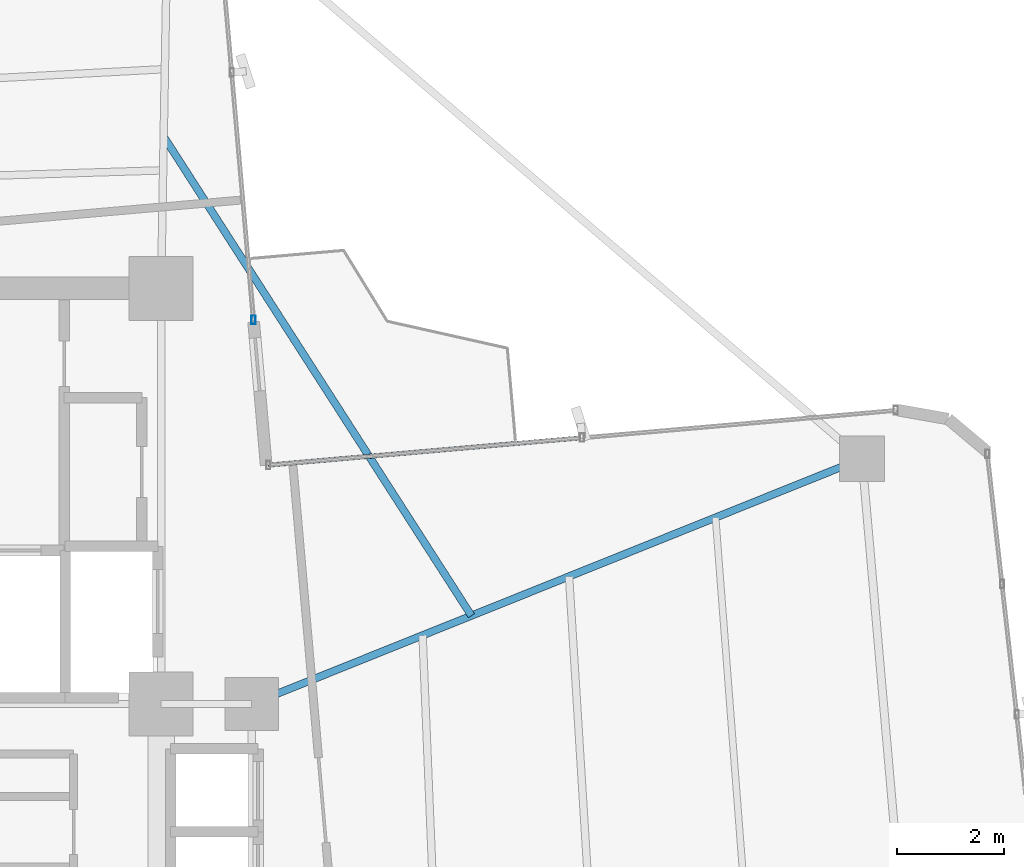
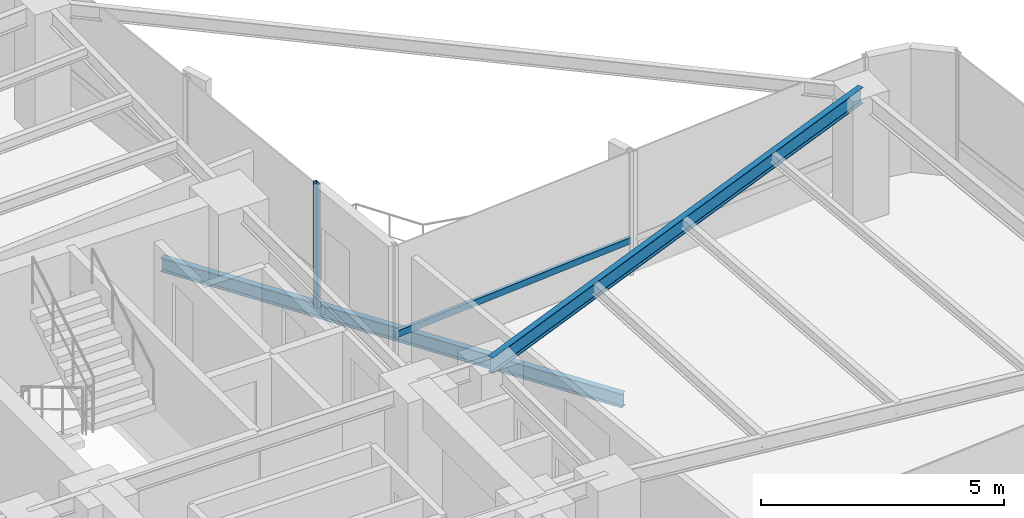
# One storey, part 12 of 24: 2 beams, 2 members, 2 elements without a shape of their own.
"""IFC4 building model written with IfcOpenShell, lengths in metres."""

from ifc_helpers import new_model, si_unit, direction, frame, origin, origin_2d, place, context, subcontext, project, spatial, hollow_rectangle, i_section, extrude, source, transform, mapped, material, material_profile, profile_set, type_object, element, aggregate, save


model = new_model("IFC4")

# Units and contexts
model_context = context("Model", 3, precision=1e-05, world=origin(), true_north=direction((0.0, 1.0)))
body_context = subcontext(model_context, "Body", "Model", "MODEL_VIEW")
ifc_project = project(units=[si_unit("LENGTHUNIT", "METRE"), si_unit("AREAUNIT", "SQUARE_METRE"), si_unit("VOLUMEUNIT", "CUBIC_METRE"), si_unit("PLANEANGLEUNIT", "RADIAN"), si_unit("MASSUNIT", "GRAM", prefix="KILO")], contexts=[model_context])

# Site, building, storey
site_placement = place(None, origin())
site = spatial("IfcSite", under=ifc_project, at=site_placement, CompositionType="ELEMENT")
building_placement = place(site_placement, origin())
building = spatial("IfcBuilding", under=site, at=building_placement, Name="Sahyath Konkavel Grand Hotel", CompositionType="ELEMENT")
storey_placement = place(building_placement, frame((0.0, 0.0, 160.64990234375)))
storey = spatial("IfcBuildingStorey", under=building, at=storey_placement, Name="L44", CompositionType="ELEMENT", Elevation=160.64990234375)

# Beam
ifc_material_1 = material(Name="Steel E350", Category="steel")
ifc_material_profile_1 = material_profile(ifc_material_1, i_section(OverallWidth=0.139892578125, OverallDepth=0.39990234375, WebThickness=0.0087890625, FlangeThickness=0.01611328125, FilletRadius=0.013916015625, at=origin_2d()), Name="ISMB 400")
ifc_profile_set_1 = profile_set([ifc_material_profile_1], Name="Steel E350")
beam_type_1 = type_object("IfcBeamType", Name="BM-ISMB400", PredefinedType="BEAM", material=ifc_profile_set_1)
shared_shape_1 = source(origin(), body_context, "Body", "SweptSolid", [
    extrude(i_section(OverallWidth=0.139892578125, OverallDepth=0.39990234375, WebThickness=0.0087890625, FlangeThickness=0.01611328125, FilletRadius=0.013916015625, at=origin_2d()), origin(), (0.0, 0.0, 1.0), 12.344970703125),
])
beam_1_placement = place(storey_placement, frame((5.5, 2.39990234375, 2.91015625), z_axis=(0.927837014101, 0.372985891507, 0.0), x_axis=(-0.372985891507, 0.927837014101, 0.0)))
element("IfcBeam", 1, at=beam_1_placement, inside=storey, type_object=beam_type_1, Name="L44 Cruciform Radial Girder EB", PredefinedType="BEAM", context=body_context, shape_type="MappedRepresentation", body=[
    mapped(shared_shape_1, transform((0.0, 0.0, 0.0), scale=1.0)),
])

# Curtain wall, member
ifc_material_2 = material(Name="Anodised Bronze Aluminium & Low-E Glazing", Category="aluminium")
curtain_wall_type = type_object("IfcCurtainWallType", Name="CW-ZONE3", PredefinedType="NOTDEFINED", material=ifc_material_2)
curtain_wall_1_placement = place(storey_placement, origin())
curtain_wall_1 = element("IfcCurtainWall", 2, at=curtain_wall_1_placement, inside=storey, type_object=curtain_wall_type, Name="L44 Unitised Curtain Wall F8", PredefinedType="NOTDEFINED")
ifc_material_3 = material(Name="Anodised Bronze Aluminium", Category="aluminium")
ifc_material_profile_2 = material_profile(ifc_material_3, hollow_rectangle(XDim=0.080078125, YDim=0.159912109375, WallThickness=0.006103515625, at=origin_2d()), Name="RHS 160x80x6")
ifc_profile_set_2 = profile_set([ifc_material_profile_2], Name="Anodised Bronze Aluminium")
member_type_1 = type_object("IfcMemberType", Name="CW-MUL-160", PredefinedType="MULLION", material=ifc_profile_set_2)
shared_shape_2 = source(origin(), body_context, "Body", "SweptSolid", [
    extrude(hollow_rectangle(XDim=0.080078125, YDim=0.159912109375, WallThickness=0.006103515625, at=origin_2d()), origin(), (0.0, 0.0, 1.0), 3.110107421875),
])
member_1_placement = place(storey_placement, frame((5.53369140625, 9.60888671875, 0.0), z_axis=(0.0, 0.0, 1.0), x_axis=(1.0, 0.0, 0.0)))
member_1 = element("IfcMember", 3, at=member_1_placement, type_object=member_type_1, Name="L44 Curtain Wall Mullion F8-0", PredefinedType="MULLION", context=body_context, shape_type="MappedRepresentation", body=[
    mapped(shared_shape_2, transform((0.0, 0.0, 0.0), scale=1.0)),
])
aggregate(curtain_wall_1, [member_1])

curtain_wall_2_placement = place(storey_placement, origin())
curtain_wall_2 = element("IfcCurtainWall", 4, at=curtain_wall_2_placement, inside=storey, type_object=curtain_wall_type, Name="L44 Unitised Curtain Wall F7", PredefinedType="NOTDEFINED")
ifc_material_profile_3 = material_profile(ifc_material_3, hollow_rectangle(XDim=0.080078125, YDim=0.159912109375, WallThickness=0.006103515625, at=origin_2d()), Name="RHS 160x80x6")
ifc_profile_set_3 = profile_set([ifc_material_profile_3], Name="Anodised Bronze Aluminium")
member_type_2 = type_object("IfcMemberType", Name="CW-TRN-160", PredefinedType="USERDEFINED", material=ifc_profile_set_3)
shared_shape_3 = source(origin(), body_context, "Body", "SweptSolid", [
    extrude(hollow_rectangle(XDim=0.080078125, YDim=0.159912109375, WallThickness=0.006103515625, at=origin_2d()), origin(), (0.0, 0.0, 1.0), 5.909912109375),
])
member_2_placement = place(storey_placement, frame((11.69970703125, 7.39794921875, 0.85009765625), z_axis=(-0.996193941691, -0.087164388014, 0.0), x_axis=(0.087164388014, -0.996193941691, 0.0)))
member_2 = element("IfcMember", 5, at=member_2_placement, type_object=member_type_2, Name="L44 Curtain Wall Transom F7-1-spandrel", ObjectType="TRANSOM", PredefinedType="USERDEFINED", context=body_context, shape_type="MappedRepresentation", body=[
    mapped(shared_shape_3, transform((0.0, 0.0, 0.0), scale=1.0)),
])
aggregate(curtain_wall_2, [member_2])

# Beam
ifc_material_profile_4 = material_profile(ifc_material_1, i_section(OverallWidth=0.139892578125, OverallDepth=0.35009765625, WebThickness=0.008056640625, FlangeThickness=0.01416015625, FilletRadius=0.013916015625, at=origin_2d()), Name="ISMB 350")
ifc_profile_set_4 = profile_set([ifc_material_profile_4], Name="Steel E350")
beam_type_2 = type_object("IfcBeamType", Name="BM-BALC-CANT", PredefinedType="BEAM", material=ifc_profile_set_4)
shared_shape_4 = source(origin(), body_context, "Body", "SweptSolid", [
    extrude(i_section(OverallWidth=0.139892578125, OverallDepth=0.35009765625, WebThickness=0.008056640625, FlangeThickness=0.01416015625, FilletRadius=0.013916015625, at=origin_2d()), origin(), (0.0, 0.0, 1.0), 10.685302734375),
])
beam_2_placement = place(storey_placement, frame((9.62353515625, 4.0576171875, -0.414794921875), z_axis=(-0.540404181048, 0.841405562797, 0.0), x_axis=(-0.841405562797, -0.540404181048, 0.0)))
element("IfcBeam", 6, at=beam_2_placement, inside=storey, type_object=beam_type_2, Name="L44 Balcony Cantilever Support Beam NE", PredefinedType="BEAM", context=body_context, shape_type="MappedRepresentation", body=[
    mapped(shared_shape_4, transform((0.0, 0.0, 0.0), scale=1.0)),
])

save(model, "model.ifc")
